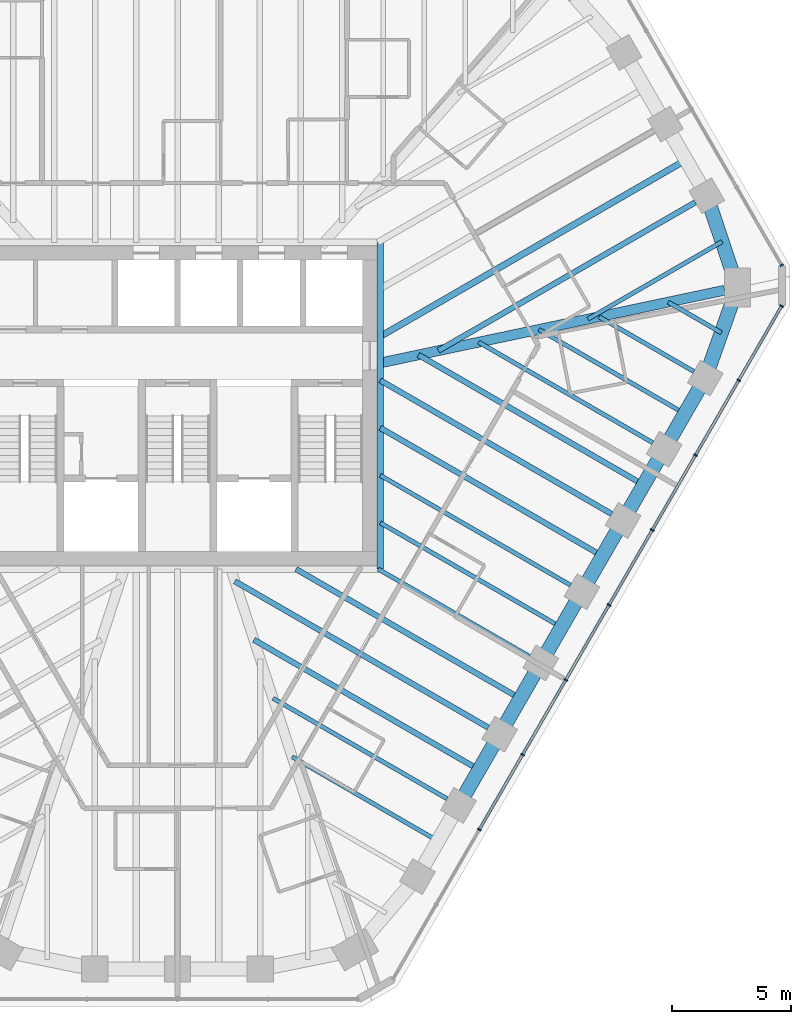
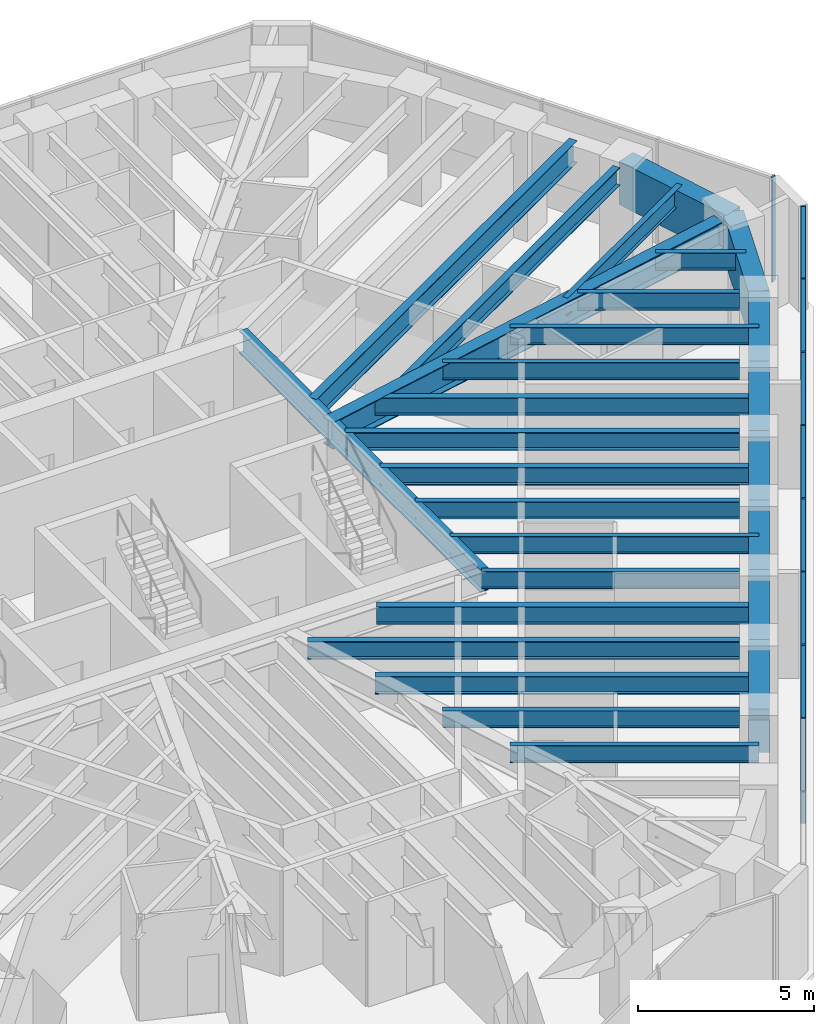
# One storey, part 5 of 14: 28 beams, 16 members, 2 elements without a shape of their own.
"""IFC4 building model written with IfcOpenShell, lengths in metres."""

from ifc_helpers import new_model, si_unit, direction, frame, origin, origin_2d, place, context, subcontext, project, spatial, rectangle, i_section, extrude, material, material_profile, profile_set, type_object, element, aggregate, save


model = new_model("IFC4")

# Units and contexts
model_context = context("Model", 3, precision=1e-05, world=origin(), true_north=direction((0.0, 1.0)))
body_context = subcontext(model_context, "Body", "Model", "MODEL_VIEW")
ifc_project = project(units=[si_unit("LENGTHUNIT", "METRE"), si_unit("AREAUNIT", "SQUARE_METRE"), si_unit("VOLUMEUNIT", "CUBIC_METRE"), si_unit("PLANEANGLEUNIT", "RADIAN"), si_unit("MASSUNIT", "GRAM", prefix="KILO")], contexts=[model_context])

# Site, building, storey
site_placement = place(None, origin())
site = spatial("IfcSite", under=ifc_project, at=site_placement, CompositionType="ELEMENT")
building_placement = place(site_placement, origin())
building = spatial("IfcBuilding", under=site, at=building_placement, Name="Sandreach Pilgrim Tower", CompositionType="ELEMENT")
storey_placement = place(building_placement, frame((0.0, 0.0, 276.0)))
storey = spatial("IfcBuildingStorey", under=building, at=storey_placement, Name="L69", CompositionType="ELEMENT", Elevation=276.0)

# Curtain wall, member
ifc_material_1 = material(Name="Aluminium framed curtain wall", Category="aluminium")
curtain_wall_type = type_object("IfcCurtainWallType", Name="Suite tower curtain wall", PredefinedType="NOTDEFINED", material=ifc_material_1)
curtain_wall_1_placement = place(storey_placement, origin())
curtain_wall_1 = element("IfcCurtainWall", 1, at=curtain_wall_1_placement, inside=storey, type_object=curtain_wall_type, Name="CW-4 L69 NE", PredefinedType="NOTDEFINED")
ifc_material_2 = material(Name="Aluminium extrusion", Category="aluminium")
ifc_material_profile_1 = material_profile(ifc_material_2, rectangle(XDim=0.06005859375, YDim=0.159912109375, at=origin_2d()), Name="CW-4M 60X160")
ifc_profile_set_1 = profile_set([ifc_material_profile_1], Name="Aluminium extrusion")
member_type_1 = type_object("IfcMemberType", Name="CW-4 mullion", PredefinedType="MULLION", material=ifc_profile_set_1)
member_1_placement = place(storey_placement, frame((25.304443359375, 5.8876953125, 0.0), z_axis=(0.0, 0.0, 1.0), x_axis=(0.5, -0.866025403784, 0.0)))
member_1 = element("IfcMember", 2, at=member_1_placement, type_object=member_type_1, Name="CW-4 mullion 5", PredefinedType="MULLION", context=body_context, shape_type="SweptSolid", body=[
    extrude(rectangle(XDim=0.06005859375, YDim=0.159912109375, at=origin_2d()), origin(), (0.0, 0.0, 1.0), 3.639892578125),
])
aggregate(curtain_wall_1, [member_1])

# Curtain wall, members
curtain_wall_2_placement = place(storey_placement, origin())
curtain_wall_2 = element("IfcCurtainWall", 3, at=curtain_wall_2_placement, inside=storey, type_object=curtain_wall_type, Name="CW-4 L69 SE", PredefinedType="NOTDEFINED")
member_2_placement = place(storey_placement, frame((25.304443359375, 4.175537109375, 0.0), z_axis=(0.0, 0.0, 1.0), x_axis=(-0.5, -0.866025403784, 0.0)))
member_2 = element("IfcMember", 4, at=member_2_placement, type_object=member_type_1, Name="CW-4 mullion 1", PredefinedType="MULLION", context=body_context, shape_type="SweptSolid", body=[
    extrude(rectangle(XDim=0.06005859375, YDim=0.159912109375, at=origin_2d()), origin(), (0.0, 0.0, 1.0), 3.639892578125),
])
member_3_placement = place(storey_placement, frame((23.508544921875, 1.06494140625, 0.0), z_axis=(0.0, 0.0, 1.0), x_axis=(-0.5, -0.866025403784, 0.0)))
member_3 = element("IfcMember", 5, at=member_3_placement, type_object=member_type_1, Name="CW-4 mullion 2", PredefinedType="MULLION", context=body_context, shape_type="SweptSolid", body=[
    extrude(rectangle(XDim=0.06005859375, YDim=0.159912109375, at=origin_2d()), origin(), (0.0, 0.0, 1.0), 3.639892578125),
])
member_4_placement = place(storey_placement, frame((21.697509765625, -2.071533203125, 0.0), z_axis=(0.0, 0.0, 1.0), x_axis=(-0.5, -0.866025403784, 0.0)))
member_4 = element("IfcMember", 6, at=member_4_placement, type_object=member_type_1, Name="CW-4 mullion 3", PredefinedType="MULLION", context=body_context, shape_type="SweptSolid", body=[
    extrude(rectangle(XDim=0.06005859375, YDim=0.159912109375, at=origin_2d()), origin(), (0.0, 0.0, 1.0), 3.639892578125),
])
member_5_placement = place(storey_placement, frame((19.886474609375, -5.208251953125, 0.0), z_axis=(0.0, 0.0, 1.0), x_axis=(-0.5, -0.866025403784, 0.0)))
member_5 = element("IfcMember", 7, at=member_5_placement, type_object=member_type_1, Name="CW-4 mullion 4", PredefinedType="MULLION", context=body_context, shape_type="SweptSolid", body=[
    extrude(rectangle(XDim=0.06005859375, YDim=0.159912109375, at=origin_2d()), origin(), (0.0, 0.0, 1.0), 3.639892578125),
])
member_6_placement = place(storey_placement, frame((18.07568359375, -8.344970703125, 0.0), z_axis=(0.0, 0.0, 1.0), x_axis=(-0.5, -0.866025403784, 0.0)))
member_6 = element("IfcMember", 8, at=member_6_placement, type_object=member_type_1, Name="CW-4 mullion 5", PredefinedType="MULLION", context=body_context, shape_type="SweptSolid", body=[
    extrude(rectangle(XDim=0.06005859375, YDim=0.159912109375, at=origin_2d()), origin(), (0.0, 0.0, 1.0), 3.639892578125),
])
member_7_placement = place(storey_placement, frame((16.2646484375, -11.4814453125, 0.0), z_axis=(0.0, 0.0, 1.0), x_axis=(-0.5, -0.866025403784, 0.0)))
member_7 = element("IfcMember", 9, at=member_7_placement, type_object=member_type_1, Name="CW-4 mullion 6", PredefinedType="MULLION", context=body_context, shape_type="SweptSolid", body=[
    extrude(rectangle(XDim=0.06005859375, YDim=0.159912109375, at=origin_2d()), origin(), (0.0, 0.0, 1.0), 3.639892578125),
])
member_8_placement = place(storey_placement, frame((14.453857421875, -14.6181640625, 0.0), z_axis=(0.0, 0.0, 1.0), x_axis=(-0.5, -0.866025403784, 0.0)))
member_8 = element("IfcMember", 10, at=member_8_placement, type_object=member_type_1, Name="CW-4 mullion 7", PredefinedType="MULLION", context=body_context, shape_type="SweptSolid", body=[
    extrude(rectangle(XDim=0.06005859375, YDim=0.159912109375, at=origin_2d()), origin(), (0.0, 0.0, 1.0), 3.639892578125),
])
member_9_placement = place(storey_placement, frame((12.642822265625, -17.7548828125, 0.0), z_axis=(0.0, 0.0, 1.0), x_axis=(-0.5, -0.866025403784, 0.0)))
member_9 = element("IfcMember", 11, at=member_9_placement, type_object=member_type_1, Name="CW-4 mullion 8", PredefinedType="MULLION", context=body_context, shape_type="SweptSolid", body=[
    extrude(rectangle(XDim=0.06005859375, YDim=0.159912109375, at=origin_2d()), origin(), (0.0, 0.0, 1.0), 3.639892578125),
])
ifc_material_3 = material(Name="Aluminium extrusion", Category="aluminium")
ifc_material_profile_2 = material_profile(ifc_material_3, rectangle(XDim=0.1201171875, YDim=0.070068359375, at=origin_2d()), Name="CW-4T 120X70")
ifc_profile_set_2 = profile_set([ifc_material_profile_2], Name="Aluminium extrusion")
member_type_2 = type_object("IfcMemberType", Name="CW-4 transom", PredefinedType="USERDEFINED", material=ifc_profile_set_2)
member_10_placement = place(storey_placement, frame((25.289306640625, 4.149658203125, 3.60498046875), z_axis=(-0.499997709859, -0.866026725994, 0.0), x_axis=(0.866026725994, -0.499997709859, 0.0)))
member_10 = element("IfcMember", 12, at=member_10_placement, type_object=member_type_2, Name="CW-4 head transom 1", ObjectType="TRANSOM", PredefinedType="USERDEFINED", context=body_context, shape_type="SweptSolid", body=[
    extrude(rectangle(XDim=0.1201171875, YDim=0.070068359375, at=origin_2d()), origin(), (0.0, 0.0, 1.0), 3.53173828125),
])
member_11_placement = place(storey_placement, frame((23.493408203125, 1.0390625, 3.60498046875), z_axis=(-0.500009219579, -0.866020080793, 0.0), x_axis=(0.866020080793, -0.500009219579, 0.0)))
member_11 = element("IfcMember", 13, at=member_11_placement, type_object=member_type_2, Name="CW-4 head transom 2", ObjectType="TRANSOM", PredefinedType="USERDEFINED", context=body_context, shape_type="SweptSolid", body=[
    extrude(rectangle(XDim=0.1201171875, YDim=0.070068359375, at=origin_2d()), origin(), (0.0, 0.0, 1.0), 3.56201171875),
])
member_12_placement = place(storey_placement, frame((21.6826171875, -2.09765625, 3.60498046875), z_axis=(-0.500009219579, -0.866020080793, 0.0), x_axis=(0.866020080793, -0.500009219579, 0.0)))
member_12 = element("IfcMember", 14, at=member_12_placement, type_object=member_type_2, Name="CW-4 head transom 3", ObjectType="TRANSOM", PredefinedType="USERDEFINED", context=body_context, shape_type="SweptSolid", body=[
    extrude(rectangle(XDim=0.1201171875, YDim=0.070068359375, at=origin_2d()), origin(), (0.0, 0.0, 1.0), 3.56201171875),
])
member_13_placement = place(storey_placement, frame((19.87158203125, -5.234375, 3.60498046875), z_axis=(-0.500038900691, -0.866002943295, 0.0), x_axis=(0.866002943295, -0.500038900691, 0.0)))
member_13 = element("IfcMember", 15, at=member_13_placement, type_object=member_type_2, Name="CW-4 head transom 4", ObjectType="TRANSOM", PredefinedType="USERDEFINED", context=body_context, shape_type="SweptSolid", body=[
    extrude(rectangle(XDim=0.1201171875, YDim=0.070068359375, at=origin_2d()), origin(), (0.0, 0.0, 1.0), 3.561767578125),
])
member_14_placement = place(storey_placement, frame((18.060546875, -8.370849609375, 3.60498046875), z_axis=(-0.499957811549, -0.866049759928, 0.0), x_axis=(0.866049759928, -0.499957811549, 0.0)))
member_14 = element("IfcMember", 16, at=member_14_placement, type_object=member_type_2, Name="CW-4 head transom 5", ObjectType="TRANSOM", PredefinedType="USERDEFINED", context=body_context, shape_type="SweptSolid", body=[
    extrude(rectangle(XDim=0.1201171875, YDim=0.070068359375, at=origin_2d()), origin(), (0.0, 0.0, 1.0), 3.561767578125),
])
member_15_placement = place(storey_placement, frame((16.249755859375, -11.507568359375, 3.60498046875), z_axis=(-0.500009219579, -0.866020080793, 0.0), x_axis=(0.866020080793, -0.500009219579, 0.0)))
member_15 = element("IfcMember", 17, at=member_15_placement, type_object=member_type_2, Name="CW-4 head transom 6", ObjectType="TRANSOM", PredefinedType="USERDEFINED", context=body_context, shape_type="SweptSolid", body=[
    extrude(rectangle(XDim=0.1201171875, YDim=0.070068359375, at=origin_2d()), origin(), (0.0, 0.0, 1.0), 3.56201171875),
])
member_16_placement = place(storey_placement, frame((14.438720703125, -14.64404296875, 3.60498046875), z_axis=(-0.499957811549, -0.866049759928, 0.0), x_axis=(0.866049759928, -0.499957811549, 0.0)))
member_16 = element("IfcMember", 18, at=member_16_placement, type_object=member_type_2, Name="CW-4 head transom 7", ObjectType="TRANSOM", PredefinedType="USERDEFINED", context=body_context, shape_type="SweptSolid", body=[
    extrude(rectangle(XDim=0.1201171875, YDim=0.070068359375, at=origin_2d()), origin(), (0.0, 0.0, 1.0), 3.561767578125),
])
aggregate(curtain_wall_2, [member_2, member_3, member_4, member_5, member_6, member_7, member_8, member_9, member_10, member_11, member_12, member_13, member_14, member_15, member_16])

# Beams
ifc_material_4 = material(Name="Steel ASTM A992 Grade 50", Category="steel")
ifc_material_profile_3 = material_profile(ifc_material_4, i_section(OverallWidth=0.2666015625, OverallDepth=0.77978515625, WebThickness=0.0166015625, FlangeThickness=0.030029296875, at=origin_2d()), Name="W30X148")
ifc_profile_set_3 = profile_set([ifc_material_profile_3], Name="Steel ASTM A992 Grade 50")
beam_type_1 = type_object("IfcBeamType", Name="Core edge beam W30X148", PredefinedType="BEAM", material=ifc_profile_set_3)
beam_1_placement = place(storey_placement, frame((8.493408203125, 6.84326171875, 3.25), z_axis=(0.0, -1.0, 0.0), x_axis=(1.0, 0.0, 0.0)))
element("IfcBeam", 19, at=beam_1_placement, inside=storey, type_object=beam_type_1, Name="BM L69 CEE", PredefinedType="BEAM", context=body_context, shape_type="SweptSolid", body=[
    extrude(i_section(OverallWidth=0.2666015625, OverallDepth=0.77978515625, WebThickness=0.0166015625, FlangeThickness=0.030029296875, at=origin_2d()), origin(), (0.0, 0.0, 1.0), 13.6865234375),
])
ifc_material_5 = material(Name="Steel ASTM A992 Grade 50", Category="steel")
ifc_material_profile_4 = material_profile(ifc_material_5, i_section(OverallWidth=0.419189453125, OverallDepth=0.927001953125, WebThickness=0.019287109375, FlangeThickness=0.031982421875, at=origin_2d()), Name="W36X231")
ifc_profile_set_4 = profile_set([ifc_material_profile_4], Name="Steel ASTM A992 Grade 50")
beam_type_2 = type_object("IfcBeamType", Name="Corner girder W36X231", PredefinedType="BEAM", material=ifc_profile_set_4)
beam_2_placement = place(storey_placement, frame((22.917724609375, 4.838623046875, 3.176513671875), z_axis=(-0.978430270369, -0.206577360876, 0.0), x_axis=(0.206577360876, -0.978430270369, 0.0)))
element("IfcBeam", 20, at=beam_2_placement, inside=storey, type_object=beam_type_2, Name="BM L69 CG13", PredefinedType="BEAM", context=body_context, shape_type="SweptSolid", body=[
    extrude(i_section(OverallWidth=0.419189453125, OverallDepth=0.927001953125, WebThickness=0.019287109375, FlangeThickness=0.031982421875, at=origin_2d()), origin(), (0.0, 0.0, 1.0), 14.888671875),
])
ifc_material_6 = material(Name="Steel ASTM A992 Grade 50", Category="steel")
ifc_material_profile_5 = material_profile(ifc_material_6, i_section(OverallWidth=0.1787109375, OverallDepth=0.60205078125, WebThickness=0.010986328125, FlangeThickness=0.014892578125, at=origin_2d()), Name="W24X62")
ifc_profile_set_5 = profile_set([ifc_material_profile_5], Name="Steel ASTM A992 Grade 50")
beam_type_3 = type_object("IfcBeamType", Name="Floor beam W24X62", PredefinedType="BEAM", material=ifc_profile_set_5)
beam_3_placement = place(storey_placement, frame((21.631591796875, 1.433837890625, 3.339111328125), z_axis=(-0.866037621819, 0.499978837146, 0.0), x_axis=(-0.499978837146, -0.866037621819, 0.0)))
element("IfcBeam", 21, at=beam_3_placement, inside=storey, type_object=beam_type_3, Name="BM L69 F14", PredefinedType="BEAM", context=body_context, shape_type="SweptSolid", body=[
    extrude(i_section(OverallWidth=0.1787109375, OverallDepth=0.60205078125, WebThickness=0.010986328125, FlangeThickness=0.014892578125, at=origin_2d()), origin(), (0.0, 0.0, 1.0), 4.588623046875),
])
beam_4_placement = place(storey_placement, frame((19.908935546875, -1.549560546875, 3.339111328125), z_axis=(-0.866026819143, 0.499997548519, 0.0), x_axis=(-0.499997548519, -0.866026819143, 0.0)))
element("IfcBeam", 22, at=beam_4_placement, inside=storey, type_object=beam_type_3, Name="BM L69 F15", PredefinedType="BEAM", context=body_context, shape_type="SweptSolid", body=[
    extrude(i_section(OverallWidth=0.1787109375, OverallDepth=0.60205078125, WebThickness=0.010986328125, FlangeThickness=0.014892578125, at=origin_2d()), origin(), (0.0, 0.0, 1.0), 8.4248046875),
])
beam_5_placement = place(storey_placement, frame((16.4638671875, -7.516357421875, 3.339111328125), z_axis=(-0.866022580836, 0.500004889459, 0.0), x_axis=(-0.500004889459, -0.866022580836, 0.0)))
element("IfcBeam", 23, at=beam_5_placement, inside=storey, type_object=beam_type_3, Name="BM L69 F17", PredefinedType="BEAM", context=body_context, shape_type="SweptSolid", body=[
    extrude(i_section(OverallWidth=0.1787109375, OverallDepth=0.60205078125, WebThickness=0.010986328125, FlangeThickness=0.014892578125, at=origin_2d()), origin(), (0.0, 0.0, 1.0), 9.20361328125),
])
beam_6_placement = place(storey_placement, frame((14.741455078125, -10.5, 3.339111328125), z_axis=(-0.866019920622, 0.500009496996, 0.0), x_axis=(-0.500009496996, -0.866019920622, 0.0)))
element("IfcBeam", 24, at=beam_6_placement, inside=storey, type_object=beam_type_3, Name="BM L69 F18", PredefinedType="BEAM", context=body_context, shape_type="SweptSolid", body=[
    extrude(i_section(OverallWidth=0.1787109375, OverallDepth=0.60205078125, WebThickness=0.010986328125, FlangeThickness=0.014892578125, at=origin_2d()), origin(), (0.0, 0.0, 1.0), 7.313232421875),
])
beam_7_placement = place(storey_placement, frame((11.29638671875, -16.466796875, 3.339111328125), z_axis=(-0.866026819143, 0.499997548519, 0.0), x_axis=(-0.499997548519, -0.866026819143, 0.0)))
element("IfcBeam", 25, at=beam_7_placement, inside=storey, type_object=beam_type_3, Name="BM L69 F20", PredefinedType="BEAM", context=body_context, shape_type="SweptSolid", body=[
    extrude(i_section(OverallWidth=0.1787109375, OverallDepth=0.60205078125, WebThickness=0.010986328125, FlangeThickness=0.014892578125, at=origin_2d()), origin(), (0.0, 0.0, 1.0), 8.4248046875),
])
beam_8_placement = place(storey_placement, frame((22.8125, 6.875, 3.339111328125), z_axis=(-0.866023980233, -0.500002465655, 0.0), x_axis=(0.500002465655, -0.866023980233, 0.0)))
element("IfcBeam", 26, at=beam_8_placement, inside=storey, type_object=beam_type_3, Name="BM L69 FM12", PredefinedType="BEAM", context=body_context, shape_type="SweptSolid", body=[
    extrude(i_section(OverallWidth=0.1787109375, OverallDepth=0.60205078125, WebThickness=0.010986328125, FlangeThickness=0.014892578125, at=origin_2d()), origin(), (0.0, 0.0, 1.0), 6.49072265625),
])
beam_9_placement = place(storey_placement, frame((22.78173828125, 3.0556640625, 3.339111328125), z_axis=(-0.8660004255, 0.500043261163, 0.0), x_axis=(-0.500043261163, -0.8660004255, 0.0)))
element("IfcBeam", 27, at=beam_9_placement, inside=storey, type_object=beam_type_3, Name="BM L69 FM13", PredefinedType="BEAM", context=body_context, shape_type="SweptSolid", body=[
    extrude(i_section(OverallWidth=0.1787109375, OverallDepth=0.60205078125, WebThickness=0.010986328125, FlangeThickness=0.014892578125, at=origin_2d()), origin(), (0.0, 0.0, 1.0), 2.569091796875),
])
beam_10_placement = place(storey_placement, frame((21.24658203125, -0.332763671875, 3.339111328125), z_axis=(-0.866028878405, 0.499993981732, 0.0), x_axis=(-0.499993981732, -0.866028878405, 0.0)))
element("IfcBeam", 28, at=beam_10_placement, inside=storey, type_object=beam_type_3, Name="BM L69 FM14", PredefinedType="BEAM", context=body_context, shape_type="SweptSolid", body=[
    extrude(i_section(OverallWidth=0.1787109375, OverallDepth=0.60205078125, WebThickness=0.010986328125, FlangeThickness=0.014892578125, at=origin_2d()), origin(), (0.0, 0.0, 1.0), 7.056640625),
])
beam_11_placement = place(storey_placement, frame((16.0791015625, -9.283203125, 3.339111328125), z_axis=(-0.866023595995, 0.500003131169, 0.0), x_axis=(-0.500003131169, -0.866023595995, 0.0)))
element("IfcBeam", 29, at=beam_11_placement, inside=storey, type_object=beam_type_3, Name="BM L69 FM17", PredefinedType="BEAM", context=body_context, shape_type="SweptSolid", body=[
    extrude(i_section(OverallWidth=0.1787109375, OverallDepth=0.60205078125, WebThickness=0.010986328125, FlangeThickness=0.014892578125, at=origin_2d()), origin(), (0.0, 0.0, 1.0), 8.75927734375),
])
beam_12_placement = place(storey_placement, frame((10.911376953125, -18.233642578125, 3.339111328125), z_axis=(-0.866020229007, 0.50000896287, 0.0), x_axis=(-0.50000896287, -0.866020229007, 0.0)))
element("IfcBeam", 30, at=beam_12_placement, inside=storey, type_object=beam_type_3, Name="BM L69 FM20", PredefinedType="BEAM", context=body_context, shape_type="SweptSolid", body=[
    extrude(i_section(OverallWidth=0.1787109375, OverallDepth=0.60205078125, WebThickness=0.010986328125, FlangeThickness=0.014892578125, at=origin_2d()), origin(), (0.0, 0.0, 1.0), 7.056396484375),
])
ifc_material_7 = material(Name="Steel ASTM A992 Grade 50", Category="steel")
ifc_material_profile_6 = material_profile(ifc_material_7, i_section(OverallWidth=0.23046875, OverallDepth=0.6171875, WebThickness=0.01318359375, FlangeThickness=0.022216796875, at=origin_2d()), Name="W24X94")
ifc_profile_set_6 = profile_set([ifc_material_profile_6], Name="Steel ASTM A992 Grade 50")
beam_type_4 = type_object("IfcBeamType", Name="Floor beam W24X94", PredefinedType="BEAM", material=ifc_profile_set_6)
beam_13_placement = place(storey_placement, frame((21.69287109375, 8.522705078125, 3.331298828125), z_axis=(-0.866028931402, -0.499993889937, 0.0), x_axis=(0.499993889937, -0.866028931402, 0.0)))
element("IfcBeam", 31, at=beam_13_placement, inside=storey, type_object=beam_type_4, Name="BM L69 F12", PredefinedType="BEAM", context=body_context, shape_type="SweptSolid", body=[
    extrude(i_section(OverallWidth=0.23046875, OverallDepth=0.6171875, WebThickness=0.01318359375, FlangeThickness=0.022216796875, at=origin_2d()), origin(), (0.0, 0.0, 1.0), 12.431396484375),
])
beam_14_placement = place(storey_placement, frame((18.1865234375, -4.532958984375, 3.331298828125), z_axis=(-0.866030482771, 0.499991202833, 0.0), x_axis=(-0.499991202833, -0.866030482771, 0.0)))
element("IfcBeam", 32, at=beam_14_placement, inside=storey, type_object=beam_type_4, Name="BM L69 F16", PredefinedType="BEAM", context=body_context, shape_type="SweptSolid", body=[
    extrude(i_section(OverallWidth=0.23046875, OverallDepth=0.6171875, WebThickness=0.01318359375, FlangeThickness=0.022216796875, at=origin_2d()), origin(), (0.0, 0.0, 1.0), 11.192626953125),
])
beam_15_placement = place(storey_placement, frame((13.018798828125, -13.4833984375, 3.331298828125), z_axis=(-0.866019132277, 0.500010862412, 0.0), x_axis=(-0.500010862412, -0.866019132277, 0.0)))
element("IfcBeam", 33, at=beam_15_placement, inside=storey, type_object=beam_type_4, Name="BM L69 F19", PredefinedType="BEAM", context=body_context, shape_type="SweptSolid", body=[
    extrude(i_section(OverallWidth=0.23046875, OverallDepth=0.6171875, WebThickness=0.01318359375, FlangeThickness=0.022216796875, at=origin_2d()), origin(), (0.0, 0.0, 1.0), 12.261474609375),
])
beam_16_placement = place(storey_placement, frame((19.52392578125, -3.316162109375, 3.331298828125), z_axis=(-0.866029205616, 0.499993414976, 0.0), x_axis=(-0.499993414976, -0.866029205616, 0.0)))
element("IfcBeam", 34, at=beam_16_placement, inside=storey, type_object=beam_type_4, Name="BM L69 FM15", PredefinedType="BEAM", context=body_context, shape_type="SweptSolid", body=[
    extrude(i_section(OverallWidth=0.23046875, OverallDepth=0.6171875, WebThickness=0.01318359375, FlangeThickness=0.022216796875, at=origin_2d()), origin(), (0.0, 0.0, 1.0), 10.893310546875),
])
beam_17_placement = place(storey_placement, frame((17.801513671875, -6.2998046875, 3.331298828125), z_axis=(-0.866025958161, 0.49999903979, 0.0), x_axis=(-0.49999903979, -0.866025958161, 0.0)))
element("IfcBeam", 35, at=beam_17_placement, inside=storey, type_object=beam_type_4, Name="BM L69 FM16", PredefinedType="BEAM", context=body_context, shape_type="SweptSolid", body=[
    extrude(i_section(OverallWidth=0.23046875, OverallDepth=0.6171875, WebThickness=0.01318359375, FlangeThickness=0.022216796875, at=origin_2d()), origin(), (0.0, 0.0, 1.0), 10.748046875),
])
beam_18_placement = place(storey_placement, frame((14.3564453125, -12.2666015625, 3.331298828125), z_axis=(-0.866026660645, 0.499997823047, 0.0), x_axis=(-0.499997823047, -0.866026660645, 0.0)))
element("IfcBeam", 36, at=beam_18_placement, inside=storey, type_object=beam_type_4, Name="BM L69 FM18", PredefinedType="BEAM", context=body_context, shape_type="SweptSolid", body=[
    extrude(i_section(OverallWidth=0.23046875, OverallDepth=0.6171875, WebThickness=0.01318359375, FlangeThickness=0.022216796875, at=origin_2d()), origin(), (0.0, 0.0, 1.0), 10.8466796875),
])
beam_19_placement = place(storey_placement, frame((12.634033203125, -15.250244140625, 3.331298828125), z_axis=(-0.866019500887, 0.500010223979, 0.0), x_axis=(-0.500010223979, -0.866019500887, 0.0)))
element("IfcBeam", 37, at=beam_19_placement, inside=storey, type_object=beam_type_4, Name="BM L69 FM19", PredefinedType="BEAM", context=body_context, shape_type="SweptSolid", body=[
    extrude(i_section(OverallWidth=0.23046875, OverallDepth=0.6171875, WebThickness=0.01318359375, FlangeThickness=0.022216796875, at=origin_2d()), origin(), (0.0, 0.0, 1.0), 10.893310546875),
])
ifc_material_8 = material(Name="Steel ASTM A992 Grade 50", Category="steel")
ifc_material_profile_7 = material_profile(ifc_material_8, i_section(OverallWidth=0.2666015625, OverallDepth=0.761962890625, WebThickness=0.014404296875, FlangeThickness=0.021484375, at=origin_2d()), Name="W30X116")
ifc_profile_set_7 = profile_set([ifc_material_profile_7], Name="Steel ASTM A992 Grade 50")
beam_type_5 = type_object("IfcBeamType", Name="Floor beam W30X116", PredefinedType="BEAM", material=ifc_profile_set_7)
beam_20_placement = place(storey_placement, frame((21.302978515625, 10.29833984375, 3.259033203125), z_axis=(-0.866028362181, -0.499994875871, 0.0), x_axis=(0.499994875871, -0.866028362181, 0.0)))
element("IfcBeam", 38, at=beam_20_placement, inside=storey, type_object=beam_type_5, Name="BM L69 FM11", PredefinedType="BEAM", context=body_context, shape_type="SweptSolid", body=[
    extrude(i_section(OverallWidth=0.2666015625, OverallDepth=0.761962890625, WebThickness=0.014404296875, FlangeThickness=0.021484375, at=origin_2d()), origin(), (0.0, 0.0, 1.0), 14.791259765625),
])
ifc_material_9 = material(Name="Concrete 10000 psi", Category="concrete")
ifc_material_profile_8 = material_profile(ifc_material_9, rectangle(XDim=0.60009765625, YDim=1.5, at=origin_2d()), Name="RC600X1500")
ifc_profile_set_8 = profile_set([ifc_material_profile_8], Name="Concrete 10000 psi")
beam_type_6 = type_object("IfcBeamType", Name="Spandrel beam RC600X1500", PredefinedType="SPANDREL", material=ifc_profile_set_8)
beam_21_placement = place(storey_placement, frame((22.169189453125, 8.7978515625, 2.889892578125), z_axis=(0.317293238289, -0.948327475578, 0.0), x_axis=(0.948327475578, 0.317293238289, 0.0)))
element("IfcBeam", 39, at=beam_21_placement, inside=storey, type_object=beam_type_6, Name="BM L69 SP12", PredefinedType="SPANDREL", context=body_context, shape_type="SweptSolid", body=[
    extrude(rectangle(XDim=0.60009765625, YDim=1.5, at=origin_2d()), origin(), (0.0, 0.0, 1.0), 4.054931640625),
])
beam_22_placement = place(storey_placement, frame((23.455810546875, 4.952392578125, 2.889892578125), z_axis=(-0.33481464839, -0.94228400773, 0.0), x_axis=(0.94228400773, -0.33481464839, 0.0)))
element("IfcBeam", 40, at=beam_22_placement, inside=storey, type_object=beam_type_6, Name="BM L69 SP13", PredefinedType="SPANDREL", context=body_context, shape_type="SweptSolid", body=[
    extrude(rectangle(XDim=0.60009765625, YDim=1.5, at=origin_2d()), origin(), (0.0, 0.0, 1.0), 4.02587890625),
])
for number, where, z_axis, x_axis, name in (
    (41, (22.10791015625, 1.158935546875, 2.889892578125), (-0.500041441558, -0.866001476168, 0.0), (0.866001476168, -0.500041441558, 0.0), "BM L69 SP14"),
    (42, (20.38525390625, -1.824462890625, 2.889892578125), (-0.499957605418, -0.866049878924, 0.0), (0.866049878924, -0.499957605418, 0.0), "BM L69 SP15"),
    (43, (18.662841796875, -4.80810546875, 2.889892578125), (-0.500041441558, -0.866001476168, 0.0), (0.866001476168, -0.500041441558, 0.0), "BM L69 SP16"),
):
    element("IfcBeam", number, at=place(storey_placement, frame(where, z_axis=z_axis, x_axis=x_axis)), inside=storey, type_object=beam_type_6, Name=name, PredefinedType="SPANDREL", context=body_context, shape_type="SweptSolid", body=[
        extrude(rectangle(XDim=0.60009765625, YDim=1.5, at=origin_2d()), origin(), (0.0, 0.0, 1.0), 3.445068359375),
    ])
beam_23_placement = place(storey_placement, frame((16.940185546875, -7.79150390625, 2.889892578125), z_axis=(-0.499988291006, -0.866032163869, 0.0), x_axis=(0.866032163869, -0.499988291006, 0.0)))
element("IfcBeam", 44, at=beam_23_placement, inside=storey, type_object=beam_type_6, Name="BM L69 SP17", PredefinedType="SPANDREL", context=body_context, shape_type="SweptSolid", body=[
    extrude(rectangle(XDim=0.60009765625, YDim=1.5, at=origin_2d()), origin(), (0.0, 0.0, 1.0), 3.44482421875),
])
beam_24_placement = place(storey_placement, frame((15.2177734375, -10.77490234375, 2.889892578125), z_axis=(-0.500010754882, -0.866019194361, 0.0), x_axis=(0.866019194361, -0.500010754882, 0.0)))
element("IfcBeam", 45, at=beam_24_placement, inside=storey, type_object=beam_type_6, Name="BM L69 SP18", PredefinedType="SPANDREL", context=body_context, shape_type="SweptSolid", body=[
    extrude(rectangle(XDim=0.60009765625, YDim=1.5, at=origin_2d()), origin(), (0.0, 0.0, 1.0), 3.4453125),
])
beam_25_placement = place(storey_placement, frame((13.4951171875, -13.758544921875, 2.889892578125), z_axis=(-0.499988291006, -0.866032163869, 0.0), x_axis=(0.866032163869, -0.499988291006, 0.0)))
element("IfcBeam", 46, at=beam_25_placement, inside=storey, type_object=beam_type_6, Name="BM L69 SP19", PredefinedType="SPANDREL", context=body_context, shape_type="SweptSolid", body=[
    extrude(rectangle(XDim=0.60009765625, YDim=1.5, at=origin_2d()), origin(), (0.0, 0.0, 1.0), 3.44482421875),
])

save(model, "model.ifc")
